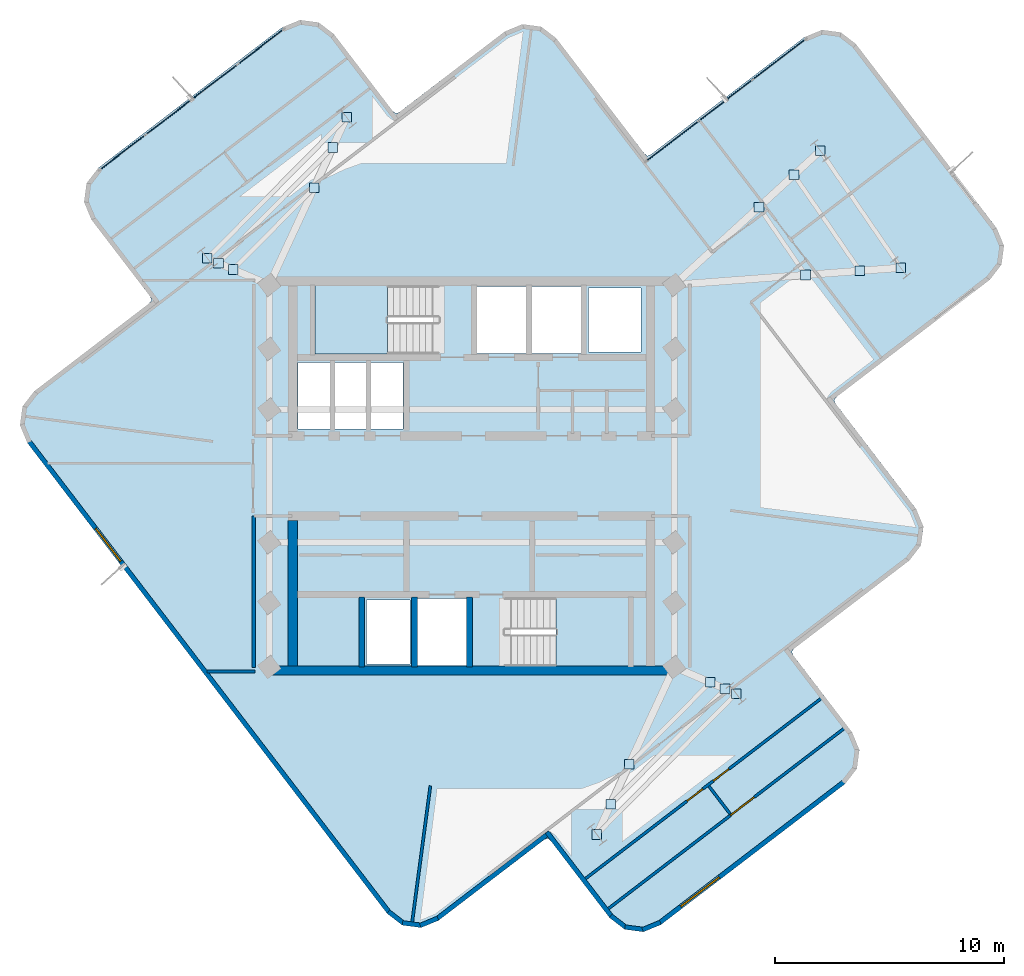
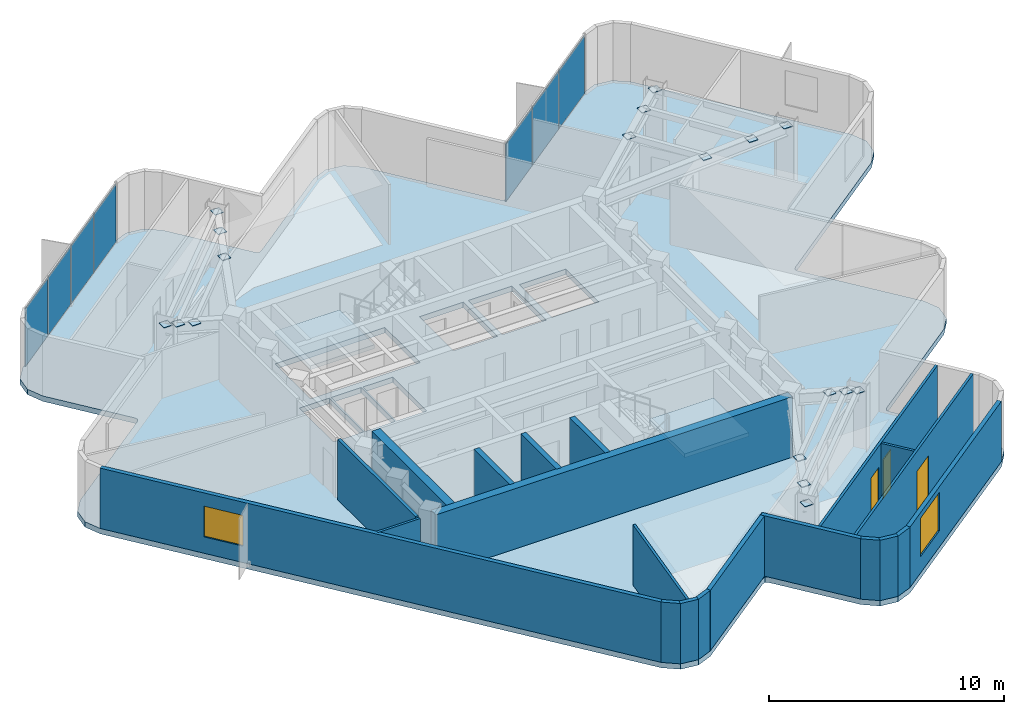
# One storey, part 3 of 8: 25 plates, 21 walls, 3 doors, 3 slabs, 2 windows, 5 openings, 4 elements without a shape of their own.
"""IFC4 building model written with IfcOpenShell, lengths in metres."""

from ifc_helpers import new_model, si_unit, direction, frame, frame_2d, origin, origin_2d, place, context, subcontext, project, spatial, polyline, rectangle, outline, extrude, material, layer, layer_set, type_object, element, fill, aggregate, save


model = new_model("IFC4")

# Units and contexts
model_context = context("Model", 3, precision=1e-05, world=origin(), true_north=direction((0.0, 1.0)))
body_context = subcontext(model_context, "Body", "Model", "MODEL_VIEW")
ifc_project = project(units=[si_unit("LENGTHUNIT", "METRE"), si_unit("AREAUNIT", "SQUARE_METRE"), si_unit("VOLUMEUNIT", "CUBIC_METRE"), si_unit("PLANEANGLEUNIT", "RADIAN"), si_unit("MASSUNIT", "GRAM", prefix="KILO")], contexts=[model_context])

# Site, building, storey
site_placement = place(None, origin())
site = spatial("IfcSite", under=ifc_project, at=site_placement, CompositionType="ELEMENT")
building_placement = place(site_placement, origin())
building = spatial("IfcBuilding", under=site, at=building_placement, Name="Solmarez Civic Tower", CompositionType="ELEMENT")
storey_placement = place(building_placement, frame((0.0, 0.0, 232.56005859375)))
storey = spatial("IfcBuildingStorey", under=building, at=storey_placement, Name="L62", CompositionType="ELEMENT", Elevation=232.56005859375)

# Curtain wall, plates
ifc_material_1 = material(Name="Bronze Anodised Aluminium EN AW-6063 T6", Category="aluminium")
ifc_layer_1 = layer(ifc_material_1, 0.1650390625)
ifc_layer_set_1 = layer_set([ifc_layer_1], Name="Bronze Anodised Aluminium EN AW-6063 T6")
curtain_wall_type = type_object("IfcCurtainWallType", Name="CW-SYS-4", PredefinedType="NOTDEFINED", material=ifc_layer_set_1)
curtain_wall_1_placement = place(storey_placement, origin())
curtain_wall_1 = element("IfcCurtainWall", 1, at=curtain_wall_1_placement, inside=storey, type_object=curtain_wall_type, Name="L62 Stick-Built Curtain Wall 1", PredefinedType="NOTDEFINED")
ifc_material_2 = material(Name="Solar Control Low-E Laminated Vision Glass", Category="glass")
ifc_layer_2 = layer(ifc_material_2, 0.0400390625)
ifc_layer_set_2 = layer_set([ifc_layer_2], Name="Solar Control Low-E Laminated Vision Glass")
plate_type_1 = type_object("IfcPlateType", Name="CWP-GLAZ-40", PredefinedType="CURTAIN_PANEL", material=ifc_layer_set_2)
plate_1_placement = place(storey_placement, frame((-15.252685546875, 14.143798828125, 0.06982421875), z_axis=(0.0, 0.0, 1.0), x_axis=(0.794452770514, 0.607325938374, 0.0)))
plate_1 = element("IfcPlate", 2, at=plate_1_placement, type_object=plate_type_1, Name="CWS4 panel 1.1", PredefinedType="CURTAIN_PANEL", context=body_context, shape_type="SweptSolid", body=[
    extrude(rectangle(XDim=2.451171875, YDim=0.0400390625, at=origin_2d()), origin(), (0.0, 0.0, 1.0), 3.0),
])
plate_2_placement = place(storey_placement, frame((-13.245849609375, 15.677978515625, 0.06982421875), z_axis=(0.0, 0.0, 1.0), x_axis=(0.794452770514, 0.607325938374, 0.0)))
plate_2 = element("IfcPlate", 3, at=plate_2_placement, type_object=plate_type_1, Name="CWS4 panel 2.1", PredefinedType="CURTAIN_PANEL", context=body_context, shape_type="SweptSolid", body=[
    extrude(rectangle(XDim=2.48095703125, YDim=0.0400390625, at=origin_2d()), origin(), (0.0, 0.0, 1.0), 3.0),
])
plate_3_placement = place(storey_placement, frame((-11.22705078125, 17.22119140625, 0.06982421875), z_axis=(0.0, 0.0, 1.0), x_axis=(0.794452770514, 0.607325938374, 0.0)))
plate_3 = element("IfcPlate", 4, at=plate_3_placement, type_object=plate_type_1, Name="CWS4 panel 3.1", PredefinedType="CURTAIN_PANEL", context=body_context, shape_type="SweptSolid", body=[
    extrude(rectangle(XDim=2.48095703125, YDim=0.0400390625, at=origin_2d()), origin(), (0.0, 0.0, 1.0), 3.0),
])
plate_4_placement = place(storey_placement, frame((-9.22021484375, 18.75537109375, 0.06982421875), z_axis=(0.0, 0.0, 1.0), x_axis=(0.794452770514, 0.607325938374, 0.0)))
plate_4 = element("IfcPlate", 5, at=plate_4_placement, type_object=plate_type_1, Name="CWS4 panel 4.1", PredefinedType="CURTAIN_PANEL", context=body_context, shape_type="SweptSolid", body=[
    extrude(rectangle(XDim=2.451171875, YDim=0.0400390625, at=origin_2d()), origin(), (0.0, 0.0, 1.0), 3.0),
])
aggregate(curtain_wall_1, [plate_1, plate_2, plate_3, plate_4])

curtain_wall_2_placement = place(storey_placement, origin())
curtain_wall_2 = element("IfcCurtainWall", 6, at=curtain_wall_2_placement, inside=storey, type_object=curtain_wall_type, Name="L62 Stick-Built Curtain Wall 2", PredefinedType="NOTDEFINED")
plate_5_placement = place(storey_placement, frame((8.771484375, 14.63623046875, 0.06982421875), z_axis=(0.0, 0.0, 1.0), x_axis=(0.794373883195, 0.607429118249, 0.0)))
plate_5 = element("IfcPlate", 7, at=plate_5_placement, type_object=plate_type_1, Name="CWS4 panel 1.1", PredefinedType="CURTAIN_PANEL", context=body_context, shape_type="SweptSolid", body=[
    extrude(rectangle(XDim=2.857421875, YDim=0.0400390625, at=origin_2d()), origin(), (0.0, 0.0, 1.0), 3.0),
])
plate_6_placement = place(storey_placement, frame((11.10107421875, 16.41748046875, 0.06982421875), z_axis=(0.0, 0.0, 1.0), x_axis=(0.794373883195, 0.607429118249, 0.0)))
plate_6 = element("IfcPlate", 8, at=plate_6_placement, type_object=plate_type_1, Name="CWS4 panel 2.1", PredefinedType="CURTAIN_PANEL", context=body_context, shape_type="SweptSolid", body=[
    extrude(rectangle(XDim=2.887451171875, YDim=0.0400390625, at=origin_2d()), origin(), (0.0, 0.0, 1.0), 3.0),
])
plate_7_placement = place(storey_placement, frame((13.430419921875, 18.19873046875, 0.06982421875), z_axis=(0.0, 0.0, 1.0), x_axis=(0.794373883195, 0.607429118249, 0.0)))
plate_7 = element("IfcPlate", 9, at=plate_7_placement, type_object=plate_type_1, Name="CWS4 panel 3.1", PredefinedType="CURTAIN_PANEL", context=body_context, shape_type="SweptSolid", body=[
    extrude(rectangle(XDim=2.857421875, YDim=0.0400390625, at=origin_2d()), origin(), (0.0, 0.0, 1.0), 3.0),
])
aggregate(curtain_wall_2, [plate_5, plate_6, plate_7])

# Plates
ifc_material_3 = material(Name="Steel S355", Category="steel")
ifc_layer_3 = layer(ifc_material_3, 0.02392578125)
ifc_layer_set_3 = layer_set([ifc_layer_3], Name="Steel S355")
plate_type_2 = type_object("IfcPlateType", Name="PLT-CAP-380", PredefinedType="USERDEFINED", material=ifc_layer_set_3)
for number, where, z_axis, x_axis, name in (
    (10, (18.740966796875, 9.096923828125, 2.97802734375), (0.0, 0.0, 1.0), (1.0, 0.0, 0.0), "Steel Member End Cap Plate CAP-BM-L62-EA-T1-0"),
    (11, (15.23388671875, 14.208984375, 2.97802734375), (0.0, 0.0, 1.0), (1.0, 0.0, 0.0), "Steel Member End Cap Plate CAP-BM-L62-EA-T1-1"),
    (12, (14.5869140625, 8.782958984375, 2.97802734375), (0.0, 0.0, 1.0), (1.0, 0.0, 0.0), "Steel Member End Cap Plate CAP-JS-L62-EA-M11-0"),
    (13, (12.552978515625, 11.748046875, 2.97802734375), (0.0, 0.0, 1.0), (1.0, 0.0, 0.0), "Steel Member End Cap Plate CAP-JS-L62-EA-M11-1"),
    (14, (16.9609375, 8.962890625, 2.97802734375), (0.0, 0.0, 1.0), (1.0, 0.0, 0.0), "Steel Member End Cap Plate CAP-JS-L62-EA-M12-0"),
    (15, (14.0849609375, 13.154052734375, 2.97802734375), (0.0, 0.0, 1.0), (1.0, 0.0, 0.0), "Steel Member End Cap Plate CAP-JS-L62-EA-M12-1"),
    (16, (-5.468017578125, 15.6708984375, 2.97802734375), (0.0, 0.0, 1.0), (1.0, 0.0, 0.0), "Steel Member End Cap Plate CAP-BM-L62-NA-T1-0"),
    (17, (-11.553955078125, 9.510009765625, 2.97802734375), (0.0, 0.0, 1.0), (1.0, 0.0, 0.0), "Steel Member End Cap Plate CAP-BM-L62-NA-T1-1"),
    (18, (-6.887939453125, 12.595947265625, 2.97802734375), (0.0, 0.0, 1.0), (1.0, 0.0, 0.0), "Steel Member End Cap Plate CAP-JS-L62-NA-M11-0"),
    (19, (-10.41796875, 9.02294921875, 2.97802734375), (0.0, 0.0, 1.0), (1.0, 0.0, 0.0), "Steel Member End Cap Plate CAP-JS-L62-NA-M11-1"),
    (20, (-6.076904296875, 14.35302734375, 2.97802734375), (0.0, 0.0, 1.0), (1.0, 0.0, 0.0), "Steel Member End Cap Plate CAP-JS-L62-NA-M12-0"),
    (21, (-11.06689453125, 9.301025390625, 2.97802734375), (0.0, 0.0, 1.0), (1.0, 0.0, 0.0), "Steel Member End Cap Plate CAP-JS-L62-NA-M12-1"),
    (22, (5.468017578125, -15.6708984375, 2.97802734375), (0.0, 0.0, 1.0), (1.0, 0.0, 0.0), "Steel Member End Cap Plate CAP-BM-L62-SA-T1-0"),
    (23, (11.553955078125, -9.510009765625, 2.97802734375), (0.0, 0.0, 1.0), (1.0, 0.0, 0.0), "Steel Member End Cap Plate CAP-BM-L62-SA-T1-1"),
    (24, (6.887939453125, -12.595947265625, 2.97802734375), (0.0, 0.0, 1.0), (1.0, 0.0, 0.0), "Steel Member End Cap Plate CAP-JS-L62-SA-M11-0"),
    (25, (10.41796875, -9.02294921875, 2.97802734375), (0.0, 0.0, 1.0), (1.0, 0.0, 0.0), "Steel Member End Cap Plate CAP-JS-L62-SA-M11-1"),
    (26, (6.076904296875, -14.35302734375, 2.97802734375), (0.0, 0.0, 1.0), (1.0, 0.0, 0.0), "Steel Member End Cap Plate CAP-JS-L62-SA-M12-0"),
    (27, (11.06689453125, -9.301025390625, 2.97802734375), (0.0, 0.0, 1.0), (1.0, 0.0, 0.0), "Steel Member End Cap Plate CAP-JS-L62-SA-M12-1"),
):
    element("IfcPlate", number, at=place(storey_placement, frame(where, z_axis=z_axis, x_axis=x_axis)), inside=storey, type_object=plate_type_2, Name=name, ObjectType="CAP_PLATE", PredefinedType="USERDEFINED", context=body_context, shape_type="SweptSolid", body=[
        extrude(rectangle(XDim=0.419921875, YDim=0.419921875, at=origin_2d()), origin(), (0.0, 0.0, 1.0), 0.02392578125),
    ])

# Stair, slab
ifc_material_4 = material(Name="Concrete C50/60", Category="concrete")
stair_type = type_object("IfcStairType", Name="STAIR-DOGLEG-140W-18R-1900", PredefinedType="HALF_TURN_STAIR", material=ifc_material_4)
stair_1_placement = place(storey_placement, origin())
stair_1 = element("IfcStair", 28, at=stair_1_placement, inside=storey, type_object=stair_type, Name="L62 North Core Protected Exit Stair ST-1", PredefinedType="HALF_TURN_STAIR")
ifc_layer_4 = layer(ifc_material_4, 0.199951171875)
ifc_layer_set_4 = layer_set([ifc_layer_4], Name="Concrete C50/60")
slab_type_1 = type_object("IfcSlabType", Name="SLAB-LANDING-200", PredefinedType="LANDING", material=ifc_layer_set_4)
slab_1_placement = place(storey_placement, frame((0.0, 0.0, 1.510009765625)))
slab_1 = element("IfcSlab", 29, at=slab_1_placement, type_object=slab_type_1, Name="ST-1 landing 1", PredefinedType="LANDING", context=body_context, shape_type="SweptSolid", body=[
    extrude(outline(polyline([(-3.68994140625, 8.320068359375), (-6.85009765625, 8.320068359375), (-6.85009765625, 5.320068359375), (-3.68994140625, 5.320068359375), (-3.68994140625, 8.320068359375)])), origin(), (0.0, 0.0, 1.0), 0.199951171875),
])
aggregate(stair_1, [slab_1])

stair_2_placement = place(storey_placement, origin())
stair_2 = element("IfcStair", 30, at=stair_2_placement, inside=storey, type_object=stair_type, Name="L62 South Core Protected Exit Stair ST-2", PredefinedType="HALF_TURN_STAIR")
slab_2_placement = place(storey_placement, frame((0.0, 0.0, 1.510009765625)))
slab_2 = element("IfcSlab", 31, at=slab_2_placement, type_object=slab_type_1, Name="ST-2 landing 1", PredefinedType="LANDING", context=body_context, shape_type="SweptSolid", body=[
    extrude(outline(polyline([(3.68994140625, -8.320068359375), (6.85009765625, -8.320068359375), (6.85009765625, -5.320068359375), (3.68994140625, -5.320068359375), (3.68994140625, -8.320068359375)])), origin(), (0.0, 0.0, 1.0), 0.199951171875),
])
aggregate(stair_2, [slab_2])

# Slab
ifc_layer_5 = layer(ifc_material_4, 0.280029296875)
ifc_layer_set_5 = layer_set([ifc_layer_5], Name="Concrete C50/60")
slab_type_2 = type_object("IfcSlabType", Name="SLAB-TOWER-280", PredefinedType="FLOOR", material=ifc_layer_set_5)
slab_3_placement = place(storey_placement, frame((0.0, 0.0, -0.280029296875)))
element("IfcSlab", 32, at=slab_3_placement, inside=storey, type_object=slab_type_2, Name="L62 Structural Slab", PredefinedType="FLOOR", context=body_context, shape_type="SweptSolid", body=[
    extrude(outline(polyline([(3.451904296875, -15.94091796875), (6.027099609375, -19.30908203125), (6.68310546875, -19.81396484375), (7.50390625, -19.924072265625), (8.27001953125, -19.60791015625), (16.324951171875, -13.449951171875), (16.830078125, -12.79296875), (16.93994140625, -11.971923828125), (16.6240234375, -11.20703125), (14.050048828125, -7.839111328125), (13.98388671875, -7.679931640625), (14.089111328125, -7.5439453125), (19.125, -3.693115234375), (19.6298828125, -3.037109375), (19.739990234375, -2.216064453125), (19.424072265625, -1.449951171875), (15.902099609375, 3.156982421875), (15.8359375, 3.31591796875), (15.94091796875, 3.451904296875), (22.64599609375, 8.577880859375), (23.15087890625, 9.23388671875), (23.260009765625, 10.054931640625), (22.945068359375, 10.821044921875), (16.785888671875, 18.8759765625), (16.1298828125, 19.381103515625), (15.30908203125, 19.490966796875), (14.54296875, 19.175048828125), (7.839111328125, 14.050048828125), (7.679931640625, 13.98388671875), (7.5439453125, 14.089111328125), (3.693115234375, 19.125), (3.037109375, 19.6298828125), (2.216064453125, 19.739990234375), (1.449951171875, 19.424072265625), (-3.156982421875, 15.902099609375), (-3.31591796875, 15.8359375), (-3.451904296875, 15.94091796875), (-6.027099609375, 19.30908203125), (-6.68310546875, 19.81396484375), (-7.50390625, 19.924072265625), (-8.27001953125, 19.60791015625), (-16.324951171875, 13.449951171875), (-16.830078125, 12.79296875), (-16.93994140625, 11.971923828125), (-16.6240234375, 11.20703125), (-14.050048828125, 7.839111328125), (-13.98388671875, 7.679931640625), (-14.089111328125, 7.5439453125), (-19.125, 3.693115234375), (-19.6298828125, 3.037109375), (-19.739990234375, 2.216064453125), (-19.424072265625, 1.449951171875), (-3.693115234375, -19.125), (-3.037109375, -19.6298828125), (-2.216064453125, -19.739990234375), (-1.449951171875, -19.424072265625), (3.156982421875, -15.902099609375), (3.31591796875, -15.8359375), (3.451904296875, -15.94091796875)]), holes=[polyline([(-1.449951171875, 8.320068359375), (-6.85009765625, 8.320068359375), (-6.85009765625, 5.320068359375), (-1.449951171875, 5.320068359375), (-1.449951171875, 8.320068359375)]), polyline([(1.449951171875, -8.320068359375), (6.85009765625, -8.320068359375), (6.85009765625, -5.320068359375), (1.449951171875, -5.320068359375), (1.449951171875, -8.320068359375)]), polyline([(0.219970703125, 5.360107421875), (2.3798828125, 5.360107421875), (2.3798828125, 8.280029296875), (0.219970703125, 8.280029296875), (0.219970703125, 5.360107421875)]), polyline([(2.6201171875, 5.360107421875), (4.780029296875, 5.360107421875), (4.780029296875, 8.280029296875), (2.6201171875, 8.280029296875), (2.6201171875, 5.360107421875)]), polyline([(-2.3798828125, -8.280029296875), (-0.219970703125, -8.280029296875), (-0.219970703125, -5.360107421875), (-2.3798828125, -5.360107421875), (-2.3798828125, -8.280029296875)]), polyline([(-7.60009765625, 2.06005859375), (-6.1201171875, 2.06005859375), (-6.1201171875, 4.9599609375), (-7.60009765625, 4.9599609375), (-7.60009765625, 2.06005859375)]), polyline([(-6.0400390625, 2.06005859375), (-4.56005859375, 2.06005859375), (-4.56005859375, 4.9599609375), (-6.0400390625, 4.9599609375), (-6.0400390625, 2.06005859375)]), polyline([(-4.47998046875, 2.06005859375), (-3.0, 2.06005859375), (-3.0, 4.9599609375), (-4.47998046875, 4.9599609375), (-4.47998046875, 2.06005859375)]), polyline([(5.10009765625, 5.419921875), (7.39990234375, 5.419921875), (7.39990234375, 8.219970703125), (5.10009765625, 8.219970703125), (5.10009765625, 5.419921875)]), polyline([(-4.60009765625, -8.219970703125), (-2.699951171875, -8.219970703125), (-2.699951171875, -5.419921875), (-4.60009765625, -5.419921875), (-4.60009765625, -8.219970703125)])]), origin(), (0.0, 0.0, 1.0), 0.280029296875),
])

# Walls
ifc_layer_6 = layer(ifc_material_4, 0.39990234375)
ifc_layer_set_6 = layer_set([ifc_layer_6], Name="Concrete C50/60")
wall_type_1 = type_object("IfcWallType", Name="WALL-CORE-400", PredefinedType="SHEAR", material=ifc_layer_set_6)
wall_1_placement = place(storey_placement, frame((8.780029296875, -8.510009765625, 0.0), z_axis=(0.0, 0.0, 1.0), x_axis=(-1.0, 0.0, 0.0)))
element("IfcWall", 33, at=wall_1_placement, inside=storey, type_object=wall_type_1, Name="L62 Split-Core Structural Wall SCW-S-L62", PredefinedType="SHEAR", context=body_context, shape_type="SweptSolid", body=[
    extrude(rectangle(XDim=17.56005859375, YDim=0.39990234375, at=frame_2d((8.780029296875, 0.0))), origin(), (0.0, 0.0, 1.0), 3.139892578125),
])
wall_2_placement = place(storey_placement, frame((-7.820068359375, -8.31005859375, 0.0), z_axis=(0.0, 0.0, 1.0), x_axis=(0.0, 1.0, 0.0)))
element("IfcWall", 34, at=wall_2_placement, inside=storey, type_object=wall_type_1, Name="L62 Split-Core Structural Wall SCW-W-L62", PredefinedType="SHEAR", context=body_context, shape_type="SweptSolid", body=[
    extrude(rectangle(XDim=6.360107421875, YDim=0.39990234375, at=frame_2d((3.18017578125, 0.0))), origin(), (0.0, 0.0, 1.0), 3.139892578125),
])
ifc_material_5 = material(Name="Precast concrete C40/50", Category="concrete")
ifc_layer_7 = layer(ifc_material_5, 0.199951171875)
ifc_layer_set_7 = layer_set([ifc_layer_7], Name="Precast concrete C40/50")
wall_type_2 = type_object("IfcWallType", Name="WALL-EXT-200", PredefinedType="SOLIDWALL", material=ifc_layer_set_7)
wall_3_placement = place(storey_placement, frame((3.406005859375, -15.583984375, 0.0), z_axis=(0.0, 0.0, 1.0), x_axis=(-0.794329901805, -0.60748663121, 0.0)))
element("IfcWall", 35, at=wall_3_placement, inside=storey, type_object=wall_type_2, Name="L62 Exterior Precast Wall 2", PredefinedType="SOLIDWALL", context=body_context, shape_type="SweptSolid", body=[
    extrude(rectangle(XDim=6.20263671875, YDim=0.199951171875, at=frame_2d((3.101318359375, 0.0))), origin(), (0.0, 0.0, 1.0), 3.139892578125),
])
wall_4_placement = place(storey_placement, frame((-1.47802734375, -19.326904296875, 0.0), z_axis=(0.0, 0.0, 1.0), x_axis=(-0.924091394431, -0.382171551451, 0.0)))
element("IfcWall", 36, at=wall_4_placement, inside=storey, type_object=wall_type_2, Name="L62 Exterior Precast Wall 3", PredefinedType="SOLIDWALL", context=body_context, shape_type="SweptSolid", body=[
    extrude(rectangle(XDim=0.83740234375, YDim=0.199951171875, at=frame_2d((0.418701171875, 0.0))), origin(), (0.0, 0.0, 1.0), 3.139892578125),
])
wall_5_placement = place(storey_placement, frame((-2.2041015625, -19.639892578125, 0.0), z_axis=(0.0, 0.0, 1.0), x_axis=(-0.99140789753, 0.130806653943, 0.0)))
element("IfcWall", 37, at=wall_5_placement, inside=storey, type_object=wall_type_2, Name="L62 Exterior Precast Wall 4", PredefinedType="SOLIDWALL", context=body_context, shape_type="SweptSolid", body=[
    extrude(rectangle(XDim=0.824951171875, YDim=0.199951171875, at=frame_2d((0.41259765625, 0.0))), origin(), (0.0, 0.0, 1.0), 3.139892578125),
])
wall_6_placement = place(storey_placement, frame((-2.97705078125, -19.550048828125, 0.0), z_axis=(0.0, 0.0, 1.0), x_axis=(-0.792959338773, 0.609274558022, 0.0)))
element("IfcWall", 38, at=wall_6_placement, inside=storey, type_object=wall_type_2, Name="L62 Exterior Precast Wall 5", PredefinedType="SOLIDWALL", context=body_context, shape_type="SweptSolid", body=[
    extrude(rectangle(XDim=0.838623046875, YDim=0.199951171875, at=frame_2d((0.41943359375, 0.0))), origin(), (0.0, 0.0, 1.0), 3.139892578125),
])

# Wall, opening, window
wall_7_placement = place(storey_placement, frame((-3.60693359375, -19.073974609375, 0.0), z_axis=(0.0, 0.0, 1.0), x_axis=(-0.607353275552, 0.794431871639, 0.0)))
wall_7 = element("IfcWall", 39, at=wall_7_placement, inside=storey, type_object=wall_type_2, Name="L62 Exterior Precast Wall 6", PredefinedType="SOLIDWALL", context=body_context, shape_type="SweptSolid", body=[
    extrude(rectangle(XDim=25.924072265625, YDim=0.199951171875, at=frame_2d((12.9619140625, 0.0))), origin(), (0.0, 0.0, 1.0), 3.139892578125),
])
opening_1_placement = place(wall_7_placement, frame((19.321044921875, 0.0, 0.85009765625)))
opening_1 = element("IfcOpeningElement", 40, at=opening_1_placement, cuts=wall_7, Name="Opening W-12", PredefinedType="OPENING", context=body_context, shape_type="SweptSolid", body=[
    extrude(rectangle(XDim=1.800048828125, YDim=1.60009765625, at=frame_2d((0.89990234375, 0.800048828125))), frame((0.0, 0.10986328125, 0.0), z_axis=(0.0, -1.0, 0.0), x_axis=(1.0, 0.0, 0.0)), (0.0, 0.0, 1.0), 0.219970703125),
])
ifc_material_6 = material(Name="Solar Control Bronze-Tinted Insulating Glass", Category="glass")
window_type_1 = type_object("IfcWindowType", Name="WIN-1800X1600", PartitioningType="SINGLE_PANEL", PredefinedType="WINDOW", material=ifc_material_6)
window_1_placement = place(opening_1_placement, origin())
window_1 = element("IfcWindow", 41, at=window_1_placement, inside=storey, type_object=window_type_1, Name="L62 Exterior Facade Window 6", OverallHeight=1.60009765625, OverallWidth=1.800048828125, PartitioningType="SINGLE_PANEL", PredefinedType="WINDOW", context=body_context, shape_type="SweptSolid", body=[
    extrude(rectangle(XDim=1.800048828125, YDim=1.60009765625, at=frame_2d((0.89990234375, 0.800048828125))), frame((0.0, 0.030029296875, 0.0), z_axis=(0.0, -1.0, 0.0), x_axis=(1.0, 0.0, 0.0)), (0.0, 0.0, 1.0), 0.06005859375),
])
fill(opening_1, window_1)

wall_8_placement = place(storey_placement, frame((16.27392578125, -13.363037109375, 0.0), z_axis=(0.0, 0.0, 1.0), x_axis=(-0.794458044917, -0.607319038781, 0.0)))
wall_8 = element("IfcWall", 42, at=wall_8_placement, inside=storey, type_object=wall_type_2, Name="L62 Exterior Precast Wall 53", PredefinedType="SOLIDWALL", context=body_context, shape_type="SweptSolid", body=[
    extrude(rectangle(XDim=10.1640625, YDim=0.199951171875, at=frame_2d((5.08203125, 0.0))), origin(), (0.0, 0.0, 1.0), 3.139892578125),
])
opening_2_placement = place(wall_8_placement, frame((6.8779296875, 0.0, 0.85009765625)))
opening_2 = element("IfcOpeningElement", 43, at=opening_2_placement, cuts=wall_8, Name="Opening W-03", PredefinedType="OPENING", context=body_context, shape_type="SweptSolid", body=[
    extrude(rectangle(XDim=2.10009765625, YDim=2.0, at=frame_2d((1.050048828125, 1.0))), frame((0.0, 0.10986328125, 0.0), z_axis=(0.0, -1.0, 0.0), x_axis=(1.0, 0.0, 0.0)), (0.0, 0.0, 1.0), 0.219970703125),
])
window_type_2 = type_object("IfcWindowType", Name="WIN-2100X2000", PartitioningType="SINGLE_PANEL", PredefinedType="WINDOW", material=ifc_material_6)
window_2_placement = place(opening_2_placement, origin())
window_2 = element("IfcWindow", 44, at=window_2_placement, inside=storey, type_object=window_type_2, Name="L62 Exterior Facade Window 53", OverallHeight=2.0, OverallWidth=2.10009765625, PartitioningType="SINGLE_PANEL", PredefinedType="WINDOW", context=body_context, shape_type="SweptSolid", body=[
    extrude(rectangle(XDim=2.10009765625, YDim=2.0, at=frame_2d((1.050048828125, 1.0))), frame((0.0, 0.030029296875, 0.0), z_axis=(0.0, -1.0, 0.0), x_axis=(1.0, 0.0, 0.0)), (0.0, 0.0, 1.0), 0.06005859375),
])
fill(opening_2, window_2)

# Walls
wall_9_placement = place(storey_placement, frame((8.241943359375, -19.510986328125, 0.0), z_axis=(0.0, 0.0, 1.0), x_axis=(-0.924091394431, -0.382171551451, 0.0)))
element("IfcWall", 45, at=wall_9_placement, inside=storey, type_object=wall_type_2, Name="L62 Exterior Precast Wall 54", PredefinedType="SOLIDWALL", context=body_context, shape_type="SweptSolid", body=[
    extrude(rectangle(XDim=0.83740234375, YDim=0.199951171875, at=frame_2d((0.418701171875, 0.0))), origin(), (0.0, 0.0, 1.0), 3.139892578125),
])
wall_10_placement = place(storey_placement, frame((7.51611328125, -19.823974609375, 0.0), z_axis=(0.0, 0.0, 1.0), x_axis=(-0.991412958994, 0.130768286444, 0.0)))
element("IfcWall", 46, at=wall_10_placement, inside=storey, type_object=wall_type_2, Name="L62 Exterior Precast Wall 55", PredefinedType="SOLIDWALL", context=body_context, shape_type="SweptSolid", body=[
    extrude(rectangle(XDim=0.8251953125, YDim=0.199951171875, at=frame_2d((0.41259765625, 0.0))), origin(), (0.0, 0.0, 1.0), 3.139892578125),
])
wall_11_placement = place(storey_placement, frame((6.742919921875, -19.73388671875, 0.0), z_axis=(0.0, 0.0, 1.0), x_axis=(-0.792959338773, 0.609274558022, 0.0)))
element("IfcWall", 47, at=wall_11_placement, inside=storey, type_object=wall_type_2, Name="L62 Exterior Precast Wall 56", PredefinedType="SOLIDWALL", context=body_context, shape_type="SweptSolid", body=[
    extrude(rectangle(XDim=0.838623046875, YDim=0.199951171875, at=frame_2d((0.41943359375, 0.0))), origin(), (0.0, 0.0, 1.0), 3.139892578125),
])
wall_12_placement = place(storey_placement, frame((6.113037109375, -19.258056640625, 0.0), z_axis=(0.0, 0.0, 1.0), x_axis=(-0.607327150699, 0.794451843741, 0.0)))
element("IfcWall", 48, at=wall_12_placement, inside=storey, type_object=wall_type_2, Name="L62 Exterior Precast Wall 57", PredefinedType="SOLIDWALL", context=body_context, shape_type="SweptSolid", body=[
    extrude(rectangle(XDim=4.643310546875, YDim=0.199951171875, at=frame_2d((2.32177734375, 0.0))), origin(), (0.0, 0.0, 1.0), 3.139892578125),
])
ifc_material_7 = material(Name="Gypsum Board Acoustic Steel-Stud Partition", Category="steel")
ifc_layer_8 = layer(ifc_material_7, 0.14990234375)
ifc_layer_set_8 = layer_set([ifc_layer_8], Name="Gypsum Board Acoustic Steel-Stud Partition")
wall_type_3 = type_object("IfcWallType", Name="WALL-INT-FIRE-150", PredefinedType="PARTITIONING", material=ifc_layer_set_8)
wall_13_placement = place(storey_placement, frame((-9.52001953125, -8.3798828125, 0.0), z_axis=(0.0, 0.0, 1.0), x_axis=(0.0, 1.0, 0.0)))
element("IfcWall", 49, at=wall_13_placement, inside=storey, type_object=wall_type_3, Name="L62 Interior Partition CHW-L62-WS1", PredefinedType="PARTITIONING", context=body_context, shape_type="SweptSolid", body=[
    extrude(rectangle(XDim=6.6298828125, YDim=0.14990234375, at=frame_2d((3.31494140625, 0.0))), origin(), (0.0, 0.0, 1.0), 3.139892578125),
])
ifc_layer_9 = layer(ifc_material_7, 0.1201171875)
ifc_layer_set_9 = layer_set([ifc_layer_9], Name="Gypsum Board Acoustic Steel-Stud Partition")
wall_type_4 = type_object("IfcWallType", Name="WALL-INT-PART-120", PredefinedType="PARTITIONING", material=ifc_layer_set_9)
wall_14_placement = place(storey_placement, frame((-11.571044921875, -8.550048828125, 0.0), z_axis=(0.0, 0.0, 1.0), x_axis=(1.0, 0.0, 0.0)))
element("IfcWall", 50, at=wall_14_placement, inside=storey, type_object=wall_type_4, Name="L62 Interior Partition PT-L62-WH-BS", PredefinedType="PARTITIONING", context=body_context, shape_type="SweptSolid", body=[
    extrude(rectangle(XDim=2.091064453125, YDim=0.1201171875, at=frame_2d((1.04541015625, 0.0))), origin(), (0.0, 0.0, 1.0), 3.139892578125),
])
wall_15_placement = place(storey_placement, frame((-1.806884765625, -13.5400390625, 0.0), z_axis=(0.0, 0.0, 1.0), x_axis=(-0.132245865303, -0.991216944523, 0.0)))
element("IfcWall", 51, at=wall_15_placement, inside=storey, type_object=wall_type_4, Name="L62 Interior Partition PT-L62-QDIV-3", PredefinedType="PARTITIONING", context=body_context, shape_type="SweptSolid", body=[
    extrude(rectangle(XDim=6.034912109375, YDim=0.1201171875, at=frame_2d((3.017578125, 0.0))), origin(), (0.0, 0.0, 1.0), 3.139892578125),
])
wall_16_placement = place(storey_placement, frame((10.362060546875, -13.552978515625, 0.0), z_axis=(0.0, 0.0, 1.0), x_axis=(0.6073553069, -0.794430318644, 0.0)))
element("IfcWall", 52, at=wall_16_placement, inside=storey, type_object=wall_type_4, Name="L62 Interior Partition PT-L62-S-MM", PredefinedType="PARTITIONING", context=body_context, shape_type="SweptSolid", body=[
    extrude(rectangle(XDim=1.529541015625, YDim=0.1201171875, at=frame_2d((0.7646484375, 0.0))), origin(), (0.0, 0.0, 1.0), 3.139892578125),
])

# Wall, openings, doors
wall_17_placement = place(storey_placement, frame((4.943115234375, -17.6201171875, 0.0), z_axis=(0.0, 0.0, 1.0), x_axis=(0.79442653656, 0.607360253893, 0.0)))
wall_17 = element("IfcWall", 53, at=wall_17_placement, inside=storey, type_object=wall_type_4, Name="L62 Interior Partition PT-L62-S-S1", PredefinedType="PARTITIONING", context=body_context, shape_type="SweptSolid", body=[
    extrude(rectangle(XDim=13.010498046875, YDim=0.1201171875, at=frame_2d((6.50537109375, 0.0))), origin(), (0.0, 0.0, 1.0), 3.139892578125),
])
opening_3_placement = place(wall_17_placement, frame((5.625, 0.0, 0.0)))
opening_3 = element("IfcOpeningElement", 54, at=opening_3_placement, cuts=wall_17, Name="Opening D-14", PredefinedType="OPENING", context=body_context, shape_type="SweptSolid", body=[
    extrude(rectangle(XDim=0.860107421875, YDim=2.0400390625, at=frame_2d((0.43017578125, 1.02001953125))), frame((0.0, 0.070068359375, 0.0), z_axis=(0.0, -1.0, 0.0), x_axis=(1.0, 0.0, 0.0)), (0.0, 0.0, 1.0), 0.14013671875),
])
opening_4_placement = place(wall_17_placement, frame((7.06494140625, 0.0, 0.0)))
opening_4 = element("IfcOpeningElement", 55, at=opening_4_placement, cuts=wall_17, Name="Opening D-14", PredefinedType="OPENING", context=body_context, shape_type="SweptSolid", body=[
    extrude(rectangle(XDim=0.860107421875, YDim=2.0400390625, at=frame_2d((0.43017578125, 1.02001953125))), frame((0.0, 0.070068359375, 0.0), z_axis=(0.0, -1.0, 0.0), x_axis=(1.0, 0.0, 0.0)), (0.0, 0.0, 1.0), 0.14013671875),
])
ifc_material_8 = material(Name="Timber Storage and Pantry Door", Category="wood")
door_type_1 = type_object("IfcDoorType", Name="DOOR-INT-850", OperationType="NOTDEFINED", PredefinedType="DOOR", material=ifc_material_8)
door_1_placement = place(opening_3_placement, origin())
door_1 = element("IfcDoor", 56, at=door_1_placement, inside=storey, type_object=door_type_1, Name="L62 Public Reading Room Third South Door", OperationType="SINGLE_SWING_RIGHT", OverallHeight=2.0400390625, OverallWidth=0.860107421875, PredefinedType="DOOR", context=body_context, shape_type="SweptSolid", body=[
    extrude(rectangle(XDim=0.860107421875, YDim=2.0400390625, at=frame_2d((0.43017578125, 1.02001953125))), frame((0.0, 0.02490234375, 0.0), z_axis=(0.0, -1.0, 0.0), x_axis=(1.0, 0.0, 0.0)), (0.0, 0.0, 1.0), 0.050048828125),
])
fill(opening_3, door_1)
door_2_placement = place(opening_4_placement, origin())
door_2 = element("IfcDoor", 57, at=door_2_placement, inside=storey, type_object=door_type_1, Name="L62 Municipal Law Library Second South Door", OperationType="SINGLE_SWING_LEFT", OverallHeight=2.0400390625, OverallWidth=0.860107421875, PredefinedType="DOOR", context=body_context, shape_type="SweptSolid", body=[
    extrude(rectangle(XDim=0.860107421875, YDim=2.0400390625, at=frame_2d((0.43017578125, 1.02001953125))), frame((0.0, 0.02490234375, 0.0), z_axis=(0.0, -1.0, 0.0), x_axis=(1.0, 0.0, 0.0)), (0.0, 0.0, 1.0), 0.050048828125),
])
fill(opening_4, door_2)

# Wall, opening, door
wall_18_placement = place(storey_placement, frame((16.281005859375, -11.029052734375, 0.0), z_axis=(0.0, 0.0, 1.0), x_axis=(-0.794435590649, -0.607348410973, 0.0)))
wall_18 = element("IfcWall", 58, at=wall_18_placement, inside=storey, type_object=wall_type_4, Name="L62 Interior Partition PT-L62-S-S2", PredefinedType="PARTITIONING", context=body_context, shape_type="SweptSolid", body=[
    extrude(rectangle(XDim=13.010498046875, YDim=0.1201171875, at=frame_2d((6.50537109375, 0.0))), origin(), (0.0, 0.0, 1.0), 3.139892578125),
])
opening_5_placement = place(wall_18_placement, frame((4.9599609375, 0.0, 0.0)))
opening_5 = element("IfcOpeningElement", 59, at=opening_5_placement, cuts=wall_18, Name="Opening D-15", PredefinedType="OPENING", context=body_context, shape_type="SweptSolid", body=[
    extrude(rectangle(XDim=1.300048828125, YDim=2.10009765625, at=frame_2d((0.64990234375, 1.050048828125))), frame((0.0, 0.070068359375, 0.0), z_axis=(0.0, -1.0, 0.0), x_axis=(1.0, 0.0, 0.0)), (0.0, 0.0, 1.0), 0.14013671875),
])
ifc_material_9 = material(Name="Tribunal Hearing Conference Door", Category="wood")
door_type_2 = type_object("IfcDoorType", Name="DOOR-INT-1300", OperationType="NOTDEFINED", PredefinedType="DOOR", material=ifc_material_9)
door_3_placement = place(opening_5_placement, origin())
door_3 = element("IfcDoor", 60, at=door_3_placement, inside=storey, type_object=door_type_2, Name="L62 Legal Study Room Fourth South Door", OperationType="SINGLE_SWING_LEFT", OverallHeight=2.10009765625, OverallWidth=1.300048828125, PredefinedType="DOOR", context=body_context, shape_type="SweptSolid", body=[
    extrude(rectangle(XDim=1.300048828125, YDim=2.10009765625, at=frame_2d((0.64990234375, 1.050048828125))), frame((0.0, 0.02490234375, 0.0), z_axis=(0.0, -1.0, 0.0), x_axis=(1.0, 0.0, 0.0)), (0.0, 0.0, 1.0), 0.050048828125),
])
fill(opening_5, door_3)

# Walls
ifc_layer_10 = layer(ifc_material_4, 0.300048828125)
ifc_layer_set_10 = layer_set([ifc_layer_10], Name="Concrete C50/60")
wall_type_5 = type_object("IfcWallType", Name="WALL-STR-300", PredefinedType="SOLIDWALL", material=ifc_layer_set_10)
for number, where, z_axis, x_axis, name in (
    (61, (-0.10009765625, -8.340087890625, 0.0), (0.0, 0.0, 1.0), (0.0, 1.0, 0.0), "L62 Split-Core Structural Wall SHW-S1-L62"),
    (62, (-2.5, -8.340087890625, 0.0), (0.0, 0.0, 1.0), (0.0, 1.0, 0.0), "L62 Split-Core Structural Wall SHW-S2-L62"),
    (63, (-4.800048828125, -8.340087890625, 0.0), (0.0, 0.0, 1.0), (0.0, 1.0, 0.0), "L62 Split-Core Structural Wall SHW-S3-L62"),
):
    element("IfcWall", number, at=place(storey_placement, frame(where, z_axis=z_axis, x_axis=x_axis)), inside=storey, type_object=wall_type_5, Name=name, PredefinedType="SOLIDWALL", context=body_context, shape_type="SweptSolid", body=[
        extrude(rectangle(XDim=3.0400390625, YDim=0.25, at=frame_2d((1.52001953125, 0.0))), origin(), (0.0, 0.0, 1.0), 3.139892578125),
    ])

save(model, "model.ifc")
